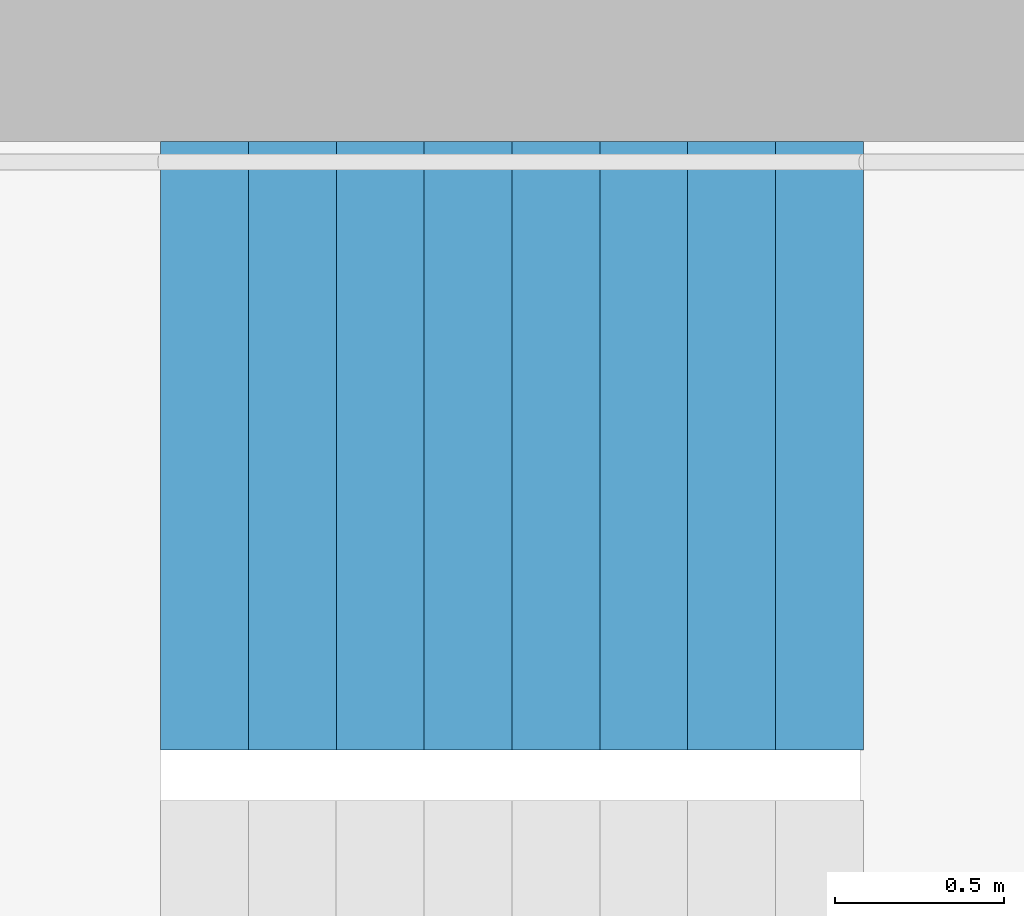
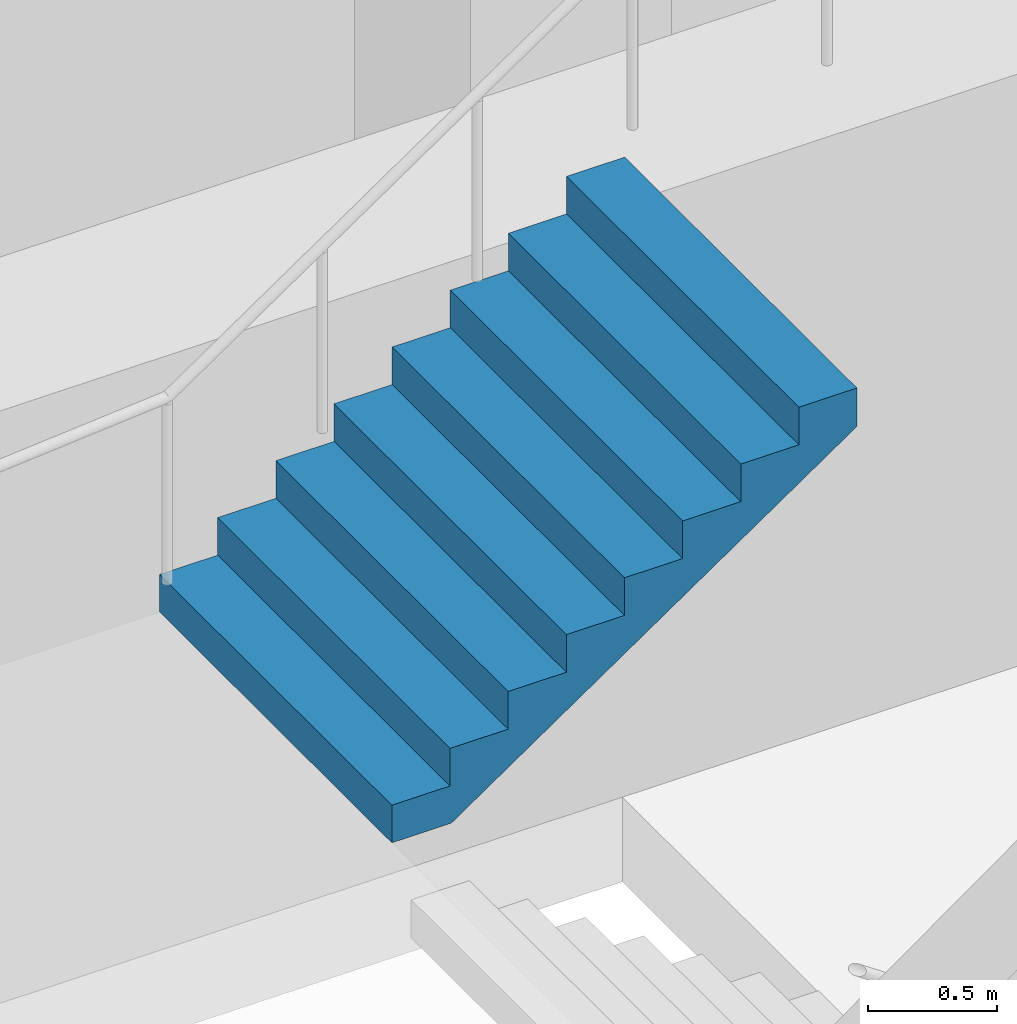
# One storey, part 28 of 29: 1 stair flight, 1 element without a shape of its own.
"""IFC4 building model written with IfcOpenShell, lengths in metres."""

from ifc_helpers import new_model, si_unit, direction, frame, origin, place, context, subcontext, project, spatial, triangles, material, type_object, element, aggregate, save


model = new_model("IFC4")

# Units and contexts
model_context = context("Model", 3, precision=1e-05, world=origin(), true_north=direction((0.0, 1.0)))
body_context = subcontext(model_context, "Body", "Model", "MODEL_VIEW")
ifc_project = project(units=[si_unit("LENGTHUNIT", "METRE"), si_unit("AREAUNIT", "SQUARE_METRE"), si_unit("VOLUMEUNIT", "CUBIC_METRE"), si_unit("PLANEANGLEUNIT", "RADIAN"), si_unit("MASSUNIT", "GRAM", prefix="KILO")], contexts=[model_context])

# Site, building, storey
site_placement = place(None, origin())
site = spatial("IfcSite", under=ifc_project, at=site_placement, CompositionType="ELEMENT")
building_placement = place(site_placement, origin())
building = spatial("IfcBuilding", under=site, at=building_placement, Name="Hakoniwa Tower and Hamabe Station Hall", CompositionType="ELEMENT")
storey_placement = place(building_placement, frame((0.0, 0.0, 104.199951171875)))
storey = spatial("IfcBuildingStorey", under=building, at=storey_placement, Name="L29", CompositionType="ELEMENT", Elevation=104.199951171875)

# Stair, stair flight
ifc_material_1 = material(Name="Concrete C40", Category="concrete")
stair_type = type_object("IfcStairType", Name="ESCAPE STAIR 1800", PredefinedType="HALF_TURN_STAIR", material=ifc_material_1)
stair_placement = place(storey_placement, origin())
stair = element("IfcStair", 1, at=stair_placement, inside=storey, type_object=stair_type, Name="Escape stair ST-3 L29", PredefinedType="HALF_TURN_STAIR")
ifc_material_2 = material(Name="Concrete C40", Category="concrete")
stair_flight_type = type_object("IfcStairFlightType", Name="STAIR FLIGHT 1800", PredefinedType="STRAIGHT", material=ifc_material_2)
stair_flight_placement = place(storey_placement, frame((22.320068359375, 6.60009765625, 1.60009765625), z_axis=(0.0, 0.0, 1.0), x_axis=(1.0, 0.0, 0.0)))
stair_flight = element("IfcStairFlight", 2, at=stair_flight_placement, type_object=stair_flight_type, Name="ST-3 flight 2", NumberOfRisers=9, NumberOfTreads=8, PredefinedType="STRAIGHT", RiserHeight=0.177777778, TreadLength=0.26, context=body_context, shape_type="Tessellation", body=[
    triangles([(0.0, 0.89990234375, 0.0), (0.260009765625, 0.89990234375, 0.0), (0.265625, 0.89990234375, 0.0), (0.52001953125, 0.89990234375, 0.174072265625), (0.780029296875, 0.89990234375, 0.351806640625), (1.0400390625, 0.89990234375, 0.529541015625), (1.300048828125, 0.89990234375, 0.707275390625), (1.56005859375, 0.89990234375, 0.885009765625), (1.820068359375, 0.89990234375, 1.062744140625), (2.080078125, 0.89990234375, 1.24072265625), (2.080078125, 0.89990234375, 1.422119140625), (1.820068359375, 0.89990234375, 1.422119140625), (1.820068359375, 0.89990234375, 1.244384765625), (1.56005859375, 0.89990234375, 1.244384765625), (1.56005859375, 0.89990234375, 1.066650390625), (1.300048828125, 0.89990234375, 1.066650390625), (1.300048828125, 0.89990234375, 0.888916015625), (1.0400390625, 0.89990234375, 0.888916015625), (1.0400390625, 0.89990234375, 0.711181640625), (0.780029296875, 0.89990234375, 0.711181640625), (0.780029296875, 0.89990234375, 0.533447265625), (0.52001953125, 0.89990234375, 0.533447265625), (0.52001953125, 0.89990234375, 0.35546875), (0.265625, 0.89990234375, 0.35546875), (0.260009765625, 0.89990234375, 0.35546875), (0.260009765625, 0.89990234375, 0.177734375), (0.0, 0.89990234375, 0.177734375), (0.0, 0.06005859375, 0.0), (0.260009765625, 0.06005859375, 0.0), (0.265625, 0.06005859375, 0.0), (0.52001953125, 0.06005859375, 0.174072265625), (0.780029296875, 0.06005859375, 0.351806640625), (1.0400390625, 0.06005859375, 0.529541015625), (1.300048828125, 0.06005859375, 0.707275390625), (1.56005859375, 0.06005859375, 0.885009765625), (1.820068359375, 0.06005859375, 1.062744140625), (2.080078125, 0.06005859375, 1.24072265625), (2.080078125, 0.06005859375, 1.422119140625), (1.820068359375, 0.06005859375, 1.422119140625), (1.820068359375, 0.06005859375, 1.244384765625), (1.56005859375, 0.06005859375, 1.244384765625), (1.56005859375, 0.06005859375, 1.066650390625), (1.300048828125, 0.06005859375, 1.066650390625), (1.300048828125, 0.06005859375, 0.888916015625), (1.0400390625, 0.06005859375, 0.888916015625), (1.0400390625, 0.06005859375, 0.711181640625), (0.780029296875, 0.06005859375, 0.711181640625), (0.780029296875, 0.06005859375, 0.533447265625), (0.52001953125, 0.06005859375, 0.533447265625), (0.52001953125, 0.06005859375, 0.35546875), (0.265625, 0.06005859375, 0.35546875), (0.260009765625, 0.06005859375, 0.35546875), (0.260009765625, 0.06005859375, 0.177734375), (0.0, 0.06005859375, 0.177734375), (0.0, 0.04296875, 0.0), (0.260009765625, 0.04296875, 0.0), (0.265625, 0.04296875, 0.0), (0.52001953125, 0.04296875, 0.174072265625), (0.780029296875, 0.04296875, 0.351806640625), (1.0400390625, 0.04296875, 0.529541015625), (1.300048828125, 0.04296875, 0.707275390625), (1.56005859375, 0.04296875, 0.885009765625), (1.820068359375, 0.04296875, 1.062744140625), (2.080078125, 0.04296875, 1.24072265625), (2.080078125, 0.04296875, 1.422119140625), (1.820068359375, 0.04296875, 1.422119140625), (1.820068359375, 0.04296875, 1.244384765625), (1.56005859375, 0.04296875, 1.244384765625), (1.56005859375, 0.04296875, 1.066650390625), (1.300048828125, 0.04296875, 1.066650390625), (1.300048828125, 0.04296875, 0.888916015625), (1.0400390625, 0.04296875, 0.888916015625), (1.0400390625, 0.04296875, 0.711181640625), (0.780029296875, 0.04296875, 0.711181640625), (0.780029296875, 0.04296875, 0.533447265625), (0.52001953125, 0.04296875, 0.533447265625), (0.52001953125, 0.04296875, 0.35546875), (0.265625, 0.04296875, 0.35546875), (0.260009765625, 0.04296875, 0.35546875), (0.260009765625, 0.04296875, 0.177734375), (0.0, 0.04296875, 0.177734375), (0.0, 0.025634765625, 0.0), (0.260009765625, 0.025634765625, 0.0), (0.265625, 0.025634765625, 0.0), (0.52001953125, 0.025634765625, 0.174072265625), (0.780029296875, 0.025634765625, 0.351806640625), (1.0400390625, 0.025634765625, 0.529541015625), (1.300048828125, 0.025634765625, 0.707275390625), (1.56005859375, 0.025634765625, 0.885009765625), (1.820068359375, 0.025634765625, 1.062744140625), (2.080078125, 0.025634765625, 1.24072265625), (2.080078125, 0.025634765625, 1.422119140625), (1.820068359375, 0.025634765625, 1.422119140625), (1.820068359375, 0.025634765625, 1.244384765625), (1.56005859375, 0.025634765625, 1.244384765625), (1.56005859375, 0.025634765625, 1.066650390625), (1.300048828125, 0.025634765625, 1.066650390625), (1.300048828125, 0.025634765625, 0.888916015625), (1.0400390625, 0.025634765625, 0.888916015625), (1.0400390625, 0.025634765625, 0.711181640625), (0.780029296875, 0.025634765625, 0.711181640625), (0.780029296875, 0.025634765625, 0.533447265625), (0.52001953125, 0.025634765625, 0.533447265625), (0.52001953125, 0.025634765625, 0.35546875), (0.265625, 0.025634765625, 0.35546875), (0.260009765625, 0.025634765625, 0.35546875), (0.260009765625, 0.025634765625, 0.177734375), (0.0, 0.025634765625, 0.177734375), (0.0, 0.008544921875, 0.0), (0.260009765625, 0.008544921875, 0.0), (0.265625, 0.008544921875, 0.0), (0.52001953125, 0.008544921875, 0.174072265625), (0.780029296875, 0.008544921875, 0.351806640625), (1.0400390625, 0.008544921875, 0.529541015625), (1.300048828125, 0.008544921875, 0.707275390625), (1.56005859375, 0.008544921875, 0.885009765625), (1.820068359375, 0.008544921875, 1.062744140625), (2.080078125, 0.008544921875, 1.24072265625), (2.080078125, 0.008544921875, 1.422119140625), (1.820068359375, 0.008544921875, 1.422119140625), (1.820068359375, 0.008544921875, 1.244384765625), (1.56005859375, 0.008544921875, 1.244384765625), (1.56005859375, 0.008544921875, 1.066650390625), (1.300048828125, 0.008544921875, 1.066650390625), (1.300048828125, 0.008544921875, 0.888916015625), (1.0400390625, 0.008544921875, 0.888916015625), (1.0400390625, 0.008544921875, 0.711181640625), (0.780029296875, 0.008544921875, 0.711181640625), (0.780029296875, 0.008544921875, 0.533447265625), (0.52001953125, 0.008544921875, 0.533447265625), (0.52001953125, 0.008544921875, 0.35546875), (0.265625, 0.008544921875, 0.35546875), (0.260009765625, 0.008544921875, 0.35546875), (0.260009765625, 0.008544921875, 0.177734375), (0.0, 0.008544921875, 0.177734375), (0.0, -0.008544921875, 0.0), (0.260009765625, -0.008544921875, 0.0), (0.265625, -0.008544921875, 0.0), (0.52001953125, -0.008544921875, 0.174072265625), (0.780029296875, -0.008544921875, 0.351806640625), (1.0400390625, -0.008544921875, 0.529541015625), (1.300048828125, -0.008544921875, 0.707275390625), (1.56005859375, -0.008544921875, 0.885009765625), (1.820068359375, -0.008544921875, 1.062744140625), (2.080078125, -0.008544921875, 1.24072265625), (2.080078125, -0.008544921875, 1.422119140625), (1.820068359375, -0.008544921875, 1.422119140625), (1.820068359375, -0.008544921875, 1.244384765625), (1.56005859375, -0.008544921875, 1.244384765625), (1.56005859375, -0.008544921875, 1.066650390625), (1.300048828125, -0.008544921875, 1.066650390625), (1.300048828125, -0.008544921875, 0.888916015625), (1.0400390625, -0.008544921875, 0.888916015625), (1.0400390625, -0.008544921875, 0.711181640625), (0.780029296875, -0.008544921875, 0.711181640625), (0.780029296875, -0.008544921875, 0.533447265625), (0.52001953125, -0.008544921875, 0.533447265625), (0.52001953125, -0.008544921875, 0.35546875), (0.265625, -0.008544921875, 0.35546875), (0.260009765625, -0.008544921875, 0.35546875), (0.260009765625, -0.008544921875, 0.177734375), (0.0, -0.008544921875, 0.177734375), (0.0, -0.025634765625, 0.0), (0.260009765625, -0.025634765625, 0.0), (0.265625, -0.025634765625, 0.0), (0.52001953125, -0.025634765625, 0.174072265625), (0.780029296875, -0.025634765625, 0.351806640625), (1.0400390625, -0.025634765625, 0.529541015625), (1.300048828125, -0.025634765625, 0.707275390625), (1.56005859375, -0.025634765625, 0.885009765625), (1.820068359375, -0.025634765625, 1.062744140625), (2.080078125, -0.025634765625, 1.24072265625), (2.080078125, -0.025634765625, 1.422119140625), (1.820068359375, -0.025634765625, 1.422119140625), (1.820068359375, -0.025634765625, 1.244384765625), (1.56005859375, -0.025634765625, 1.244384765625), (1.56005859375, -0.025634765625, 1.066650390625), (1.300048828125, -0.025634765625, 1.066650390625), (1.300048828125, -0.025634765625, 0.888916015625), (1.0400390625, -0.025634765625, 0.888916015625), (1.0400390625, -0.025634765625, 0.711181640625), (0.780029296875, -0.025634765625, 0.711181640625), (0.780029296875, -0.025634765625, 0.533447265625), (0.52001953125, -0.025634765625, 0.533447265625), (0.52001953125, -0.025634765625, 0.35546875), (0.265625, -0.025634765625, 0.35546875), (0.260009765625, -0.025634765625, 0.35546875), (0.260009765625, -0.025634765625, 0.177734375), (0.0, -0.025634765625, 0.177734375), (0.0, -0.04296875, 0.0), (0.260009765625, -0.04296875, 0.0), (0.265625, -0.04296875, 0.0), (0.52001953125, -0.04296875, 0.174072265625), (0.780029296875, -0.04296875, 0.351806640625), (1.0400390625, -0.04296875, 0.529541015625), (1.300048828125, -0.04296875, 0.707275390625), (1.56005859375, -0.04296875, 0.885009765625), (1.820068359375, -0.04296875, 1.062744140625), (2.080078125, -0.04296875, 1.24072265625), (2.080078125, -0.04296875, 1.422119140625), (1.820068359375, -0.04296875, 1.422119140625), (1.820068359375, -0.04296875, 1.244384765625), (1.56005859375, -0.04296875, 1.244384765625), (1.56005859375, -0.04296875, 1.066650390625), (1.300048828125, -0.04296875, 1.066650390625), (1.300048828125, -0.04296875, 0.888916015625), (1.0400390625, -0.04296875, 0.888916015625), (1.0400390625, -0.04296875, 0.711181640625), (0.780029296875, -0.04296875, 0.711181640625), (0.780029296875, -0.04296875, 0.533447265625), (0.52001953125, -0.04296875, 0.533447265625), (0.52001953125, -0.04296875, 0.35546875), (0.265625, -0.04296875, 0.35546875), (0.260009765625, -0.04296875, 0.35546875), (0.260009765625, -0.04296875, 0.177734375), (0.0, -0.04296875, 0.177734375), (0.0, -0.06005859375, 0.0), (0.260009765625, -0.06005859375, 0.0), (0.265625, -0.06005859375, 0.0), (0.52001953125, -0.06005859375, 0.174072265625), (0.780029296875, -0.06005859375, 0.351806640625), (1.0400390625, -0.06005859375, 0.529541015625), (1.300048828125, -0.06005859375, 0.707275390625), (1.56005859375, -0.06005859375, 0.885009765625), (1.820068359375, -0.06005859375, 1.062744140625), (2.080078125, -0.06005859375, 1.24072265625), (2.080078125, -0.06005859375, 1.422119140625), (1.820068359375, -0.06005859375, 1.422119140625), (1.820068359375, -0.06005859375, 1.244384765625), (1.56005859375, -0.06005859375, 1.244384765625), (1.56005859375, -0.06005859375, 1.066650390625), (1.300048828125, -0.06005859375, 1.066650390625), (1.300048828125, -0.06005859375, 0.888916015625), (1.0400390625, -0.06005859375, 0.888916015625), (1.0400390625, -0.06005859375, 0.711181640625), (0.780029296875, -0.06005859375, 0.711181640625), (0.780029296875, -0.06005859375, 0.533447265625), (0.52001953125, -0.06005859375, 0.533447265625), (0.52001953125, -0.06005859375, 0.35546875), (0.265625, -0.06005859375, 0.35546875), (0.260009765625, -0.06005859375, 0.35546875), (0.260009765625, -0.06005859375, 0.177734375), (0.0, -0.06005859375, 0.177734375), (0.0, -0.89990234375, 0.0), (0.260009765625, -0.89990234375, 0.0), (0.265625, -0.89990234375, 0.0), (0.52001953125, -0.89990234375, 0.174072265625), (0.780029296875, -0.89990234375, 0.351806640625), (1.0400390625, -0.89990234375, 0.529541015625), (1.300048828125, -0.89990234375, 0.707275390625), (1.56005859375, -0.89990234375, 0.885009765625), (1.820068359375, -0.89990234375, 1.062744140625), (2.080078125, -0.89990234375, 1.24072265625), (2.080078125, -0.89990234375, 1.422119140625), (1.820068359375, -0.89990234375, 1.422119140625), (1.820068359375, -0.89990234375, 1.244384765625), (1.56005859375, -0.89990234375, 1.244384765625), (1.56005859375, -0.89990234375, 1.066650390625), (1.300048828125, -0.89990234375, 1.066650390625), (1.300048828125, -0.89990234375, 0.888916015625), (1.0400390625, -0.89990234375, 0.888916015625), (1.0400390625, -0.89990234375, 0.711181640625), (0.780029296875, -0.89990234375, 0.711181640625), (0.780029296875, -0.89990234375, 0.533447265625), (0.52001953125, -0.89990234375, 0.533447265625), (0.52001953125, -0.89990234375, 0.35546875), (0.265625, -0.89990234375, 0.35546875), (0.260009765625, -0.89990234375, 0.35546875), (0.260009765625, -0.89990234375, 0.177734375), (0.0, -0.89990234375, 0.177734375)], [[2, 27, 26], [245, 269, 270], [2, 1, 27], [245, 270, 244], [3, 25, 24], [246, 267, 268], [3, 26, 25], [246, 268, 269], [3, 2, 26], [246, 269, 245], [4, 24, 23], [247, 266, 267], [4, 3, 24], [247, 267, 246], [5, 22, 21], [248, 264, 265], [5, 23, 22], [248, 265, 266], [5, 4, 23], [248, 266, 247], [6, 20, 19], [249, 262, 263], [6, 21, 20], [249, 263, 264], [6, 5, 21], [249, 264, 248], [7, 18, 17], [250, 260, 261], [7, 19, 18], [250, 261, 262], [7, 6, 19], [250, 262, 249], [8, 16, 15], [251, 258, 259], [8, 17, 16], [251, 259, 260], [8, 7, 17], [251, 260, 250], [9, 14, 13], [252, 256, 257], [9, 15, 14], [252, 257, 258], [9, 8, 15], [252, 258, 251], [10, 12, 11], [253, 254, 255], [10, 13, 12], [253, 255, 256], [10, 9, 13], [253, 256, 252], [1, 2, 29], [1, 29, 28], [28, 29, 56], [28, 56, 55], [55, 56, 83], [55, 83, 82], [82, 83, 110], [82, 110, 109], [109, 110, 137], [109, 137, 136], [136, 137, 164], [136, 164, 163], [163, 164, 191], [163, 191, 190], [190, 191, 218], [190, 218, 217], [217, 218, 245], [217, 245, 244], [2, 3, 30], [2, 30, 29], [29, 30, 57], [29, 57, 56], [56, 57, 84], [56, 84, 83], [83, 84, 111], [83, 111, 110], [110, 111, 138], [110, 138, 137], [137, 138, 165], [137, 165, 164], [164, 165, 192], [164, 192, 191], [191, 192, 219], [191, 219, 218], [218, 219, 246], [218, 246, 245], [3, 4, 31], [3, 31, 30], [30, 31, 58], [30, 58, 57], [57, 58, 85], [57, 85, 84], [84, 85, 112], [84, 112, 111], [111, 112, 139], [111, 139, 138], [138, 139, 166], [138, 166, 165], [165, 166, 193], [165, 193, 192], [192, 193, 220], [192, 220, 219], [219, 220, 247], [219, 247, 246], [4, 5, 32], [4, 32, 31], [31, 32, 59], [31, 59, 58], [58, 59, 86], [58, 86, 85], [85, 86, 113], [85, 113, 112], [112, 113, 140], [112, 140, 139], [139, 140, 167], [139, 167, 166], [166, 167, 194], [166, 194, 193], [193, 194, 221], [193, 221, 220], [220, 221, 248], [220, 248, 247], [5, 6, 33], [5, 33, 32], [32, 33, 60], [32, 60, 59], [59, 60, 87], [59, 87, 86], [86, 87, 114], [86, 114, 113], [113, 114, 141], [113, 141, 140], [140, 141, 168], [140, 168, 167], [167, 168, 195], [167, 195, 194], [194, 195, 222], [194, 222, 221], [221, 222, 249], [221, 249, 248], [6, 7, 34], [6, 34, 33], [33, 34, 61], [33, 61, 60], [60, 61, 88], [60, 88, 87], [87, 88, 115], [87, 115, 114], [114, 115, 142], [114, 142, 141], [141, 142, 169], [141, 169, 168], [168, 169, 196], [168, 196, 195], [195, 196, 223], [195, 223, 222], [222, 223, 250], [222, 250, 249], [7, 8, 35], [7, 35, 34], [34, 35, 62], [34, 62, 61], [61, 62, 89], [61, 89, 88], [88, 89, 116], [88, 116, 115], [115, 116, 143], [115, 143, 142], [142, 143, 170], [142, 170, 169], [169, 170, 197], [169, 197, 196], [196, 197, 224], [196, 224, 223], [223, 224, 251], [223, 251, 250], [8, 9, 36], [8, 36, 35], [35, 36, 63], [35, 63, 62], [62, 63, 90], [62, 90, 89], [89, 90, 117], [89, 117, 116], [116, 117, 144], [116, 144, 143], [143, 144, 171], [143, 171, 170], [170, 171, 198], [170, 198, 197], [197, 198, 225], [197, 225, 224], [224, 225, 252], [224, 252, 251], [9, 10, 37], [9, 37, 36], [36, 37, 64], [36, 64, 63], [63, 64, 91], [63, 91, 90], [90, 91, 118], [90, 118, 117], [117, 118, 145], [117, 145, 144], [144, 145, 172], [144, 172, 171], [171, 172, 199], [171, 199, 198], [198, 199, 226], [198, 226, 225], [225, 226, 253], [225, 253, 252], [10, 11, 38], [10, 38, 37], [37, 38, 65], [37, 65, 64], [64, 65, 92], [64, 92, 91], [91, 92, 119], [91, 119, 118], [118, 119, 146], [118, 146, 145], [145, 146, 173], [145, 173, 172], [172, 173, 200], [172, 200, 199], [199, 200, 227], [199, 227, 226], [226, 227, 254], [226, 254, 253], [11, 12, 39], [11, 39, 38], [38, 39, 66], [38, 66, 65], [65, 66, 93], [65, 93, 92], [92, 93, 120], [92, 120, 119], [119, 120, 147], [119, 147, 146], [146, 147, 174], [146, 174, 173], [173, 174, 201], [173, 201, 200], [200, 201, 228], [200, 228, 227], [227, 228, 255], [227, 255, 254], [12, 13, 40], [12, 40, 39], [39, 40, 67], [39, 67, 66], [66, 67, 94], [66, 94, 93], [93, 94, 121], [93, 121, 120], [120, 121, 148], [120, 148, 147], [147, 148, 175], [147, 175, 174], [174, 175, 202], [174, 202, 201], [201, 202, 229], [201, 229, 228], [228, 229, 256], [228, 256, 255], [13, 14, 41], [13, 41, 40], [40, 41, 68], [40, 68, 67], [67, 68, 95], [67, 95, 94], [94, 95, 122], [94, 122, 121], [121, 122, 149], [121, 149, 148], [148, 149, 176], [148, 176, 175], [175, 176, 203], [175, 203, 202], [202, 203, 230], [202, 230, 229], [229, 230, 257], [229, 257, 256], [14, 15, 42], [14, 42, 41], [41, 42, 69], [41, 69, 68], [68, 69, 96], [68, 96, 95], [95, 96, 123], [95, 123, 122], [122, 123, 150], [122, 150, 149], [149, 150, 177], [149, 177, 176], [176, 177, 204], [176, 204, 203], [203, 204, 231], [203, 231, 230], [230, 231, 258], [230, 258, 257], [15, 16, 43], [15, 43, 42], [42, 43, 70], [42, 70, 69], [69, 70, 97], [69, 97, 96], [96, 97, 124], [96, 124, 123], [123, 124, 151], [123, 151, 150], [150, 151, 178], [150, 178, 177], [177, 178, 205], [177, 205, 204], [204, 205, 232], [204, 232, 231], [231, 232, 259], [231, 259, 258], [16, 17, 44], [16, 44, 43], [43, 44, 71], [43, 71, 70], [70, 71, 98], [70, 98, 97], [97, 98, 125], [97, 125, 124], [124, 125, 152], [124, 152, 151], [151, 152, 179], [151, 179, 178], [178, 179, 206], [178, 206, 205], [205, 206, 233], [205, 233, 232], [232, 233, 260], [232, 260, 259], [17, 18, 45], [17, 45, 44], [44, 45, 72], [44, 72, 71], [71, 72, 99], [71, 99, 98], [98, 99, 126], [98, 126, 125], [125, 126, 153], [125, 153, 152], [152, 153, 180], [152, 180, 179], [179, 180, 207], [179, 207, 206], [206, 207, 234], [206, 234, 233], [233, 234, 261], [233, 261, 260], [18, 19, 46], [18, 46, 45], [45, 46, 73], [45, 73, 72], [72, 73, 100], [72, 100, 99], [99, 100, 127], [99, 127, 126], [126, 127, 154], [126, 154, 153], [153, 154, 181], [153, 181, 180], [180, 181, 208], [180, 208, 207], [207, 208, 235], [207, 235, 234], [234, 235, 262], [234, 262, 261], [19, 20, 47], [19, 47, 46], [46, 47, 74], [46, 74, 73], [73, 74, 101], [73, 101, 100], [100, 101, 128], [100, 128, 127], [127, 128, 155], [127, 155, 154], [154, 155, 182], [154, 182, 181], [181, 182, 209], [181, 209, 208], [208, 209, 236], [208, 236, 235], [235, 236, 263], [235, 263, 262], [20, 21, 48], [20, 48, 47], [47, 48, 75], [47, 75, 74], [74, 75, 102], [74, 102, 101], [101, 102, 129], [101, 129, 128], [128, 129, 156], [128, 156, 155], [155, 156, 183], [155, 183, 182], [182, 183, 210], [182, 210, 209], [209, 210, 237], [209, 237, 236], [236, 237, 264], [236, 264, 263], [21, 22, 49], [21, 49, 48], [48, 49, 76], [48, 76, 75], [75, 76, 103], [75, 103, 102], [102, 103, 130], [102, 130, 129], [129, 130, 157], [129, 157, 156], [156, 157, 184], [156, 184, 183], [183, 184, 211], [183, 211, 210], [210, 211, 238], [210, 238, 237], [237, 238, 265], [237, 265, 264], [22, 23, 50], [22, 50, 49], [49, 50, 77], [49, 77, 76], [76, 77, 104], [76, 104, 103], [103, 104, 131], [103, 131, 130], [130, 131, 158], [130, 158, 157], [157, 158, 185], [157, 185, 184], [184, 185, 212], [184, 212, 211], [211, 212, 239], [211, 239, 238], [238, 239, 266], [238, 266, 265], [23, 24, 51], [23, 51, 50], [50, 51, 78], [50, 78, 77], [77, 78, 105], [77, 105, 104], [104, 105, 132], [104, 132, 131], [131, 132, 159], [131, 159, 158], [158, 159, 186], [158, 186, 185], [185, 186, 213], [185, 213, 212], [212, 213, 240], [212, 240, 239], [239, 240, 267], [239, 267, 266], [24, 25, 52], [24, 52, 51], [51, 52, 79], [51, 79, 78], [78, 79, 106], [78, 106, 105], [105, 106, 133], [105, 133, 132], [132, 133, 160], [132, 160, 159], [159, 160, 187], [159, 187, 186], [186, 187, 214], [186, 214, 213], [213, 214, 241], [213, 241, 240], [240, 241, 268], [240, 268, 267], [25, 26, 53], [25, 53, 52], [52, 53, 80], [52, 80, 79], [79, 80, 107], [79, 107, 106], [106, 107, 134], [106, 134, 133], [133, 134, 161], [133, 161, 160], [160, 161, 188], [160, 188, 187], [187, 188, 215], [187, 215, 214], [214, 215, 242], [214, 242, 241], [241, 242, 269], [241, 269, 268], [26, 27, 54], [26, 54, 53], [53, 54, 81], [53, 81, 80], [80, 81, 108], [80, 108, 107], [107, 108, 135], [107, 135, 134], [134, 135, 162], [134, 162, 161], [161, 162, 189], [161, 189, 188], [188, 189, 216], [188, 216, 215], [215, 216, 243], [215, 243, 242], [242, 243, 270], [242, 270, 269], [27, 1, 28], [27, 28, 54], [54, 28, 55], [54, 55, 81], [81, 55, 82], [81, 82, 108], [108, 82, 109], [108, 109, 135], [135, 109, 136], [135, 136, 162], [162, 136, 163], [162, 163, 189], [189, 163, 190], [189, 190, 216], [216, 190, 217], [216, 217, 243], [243, 217, 244], [243, 244, 270]], closed=True),
])
aggregate(stair, [stair_flight])

save(model, "model.ifc")
